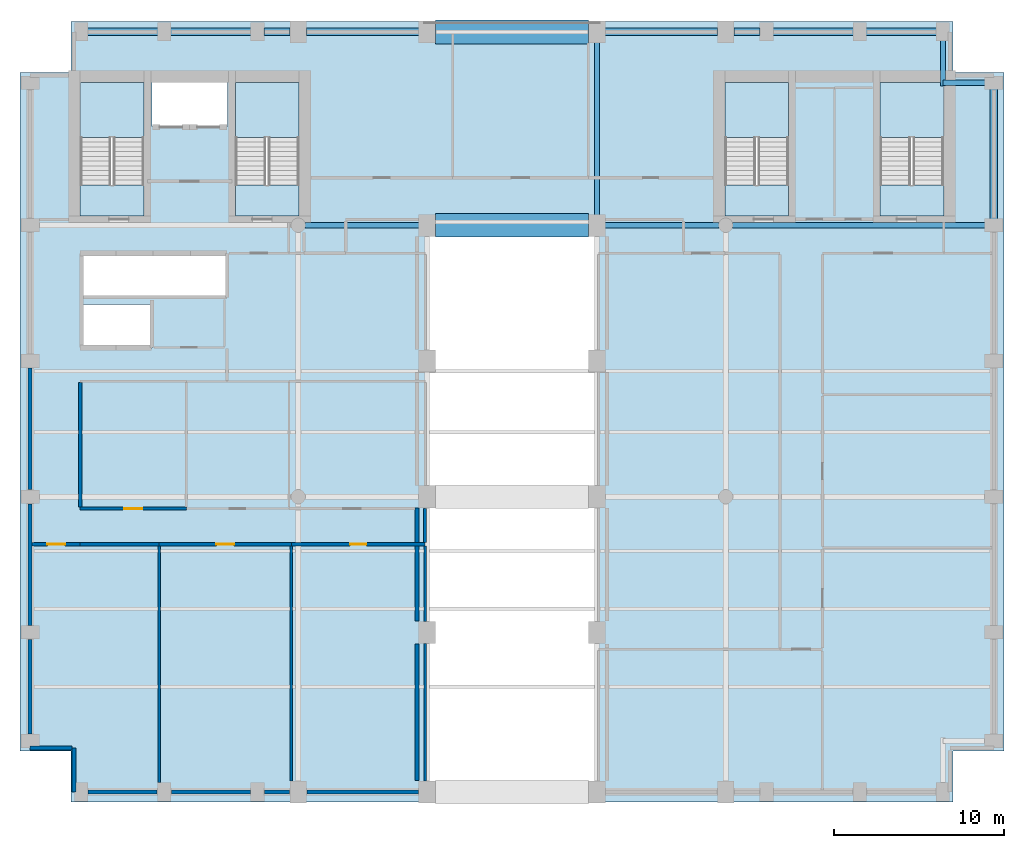
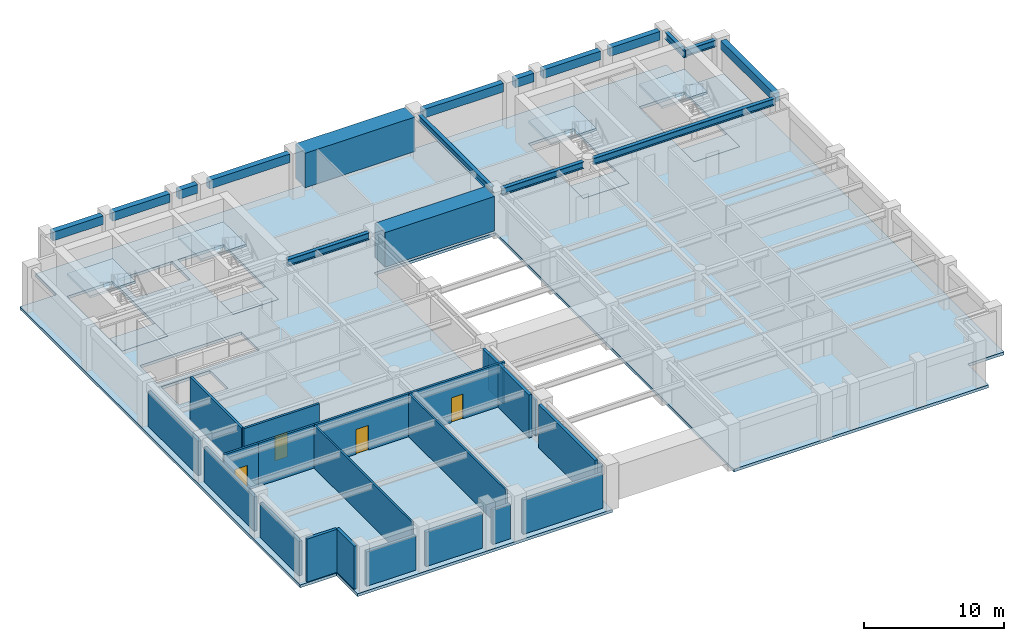
# One storey, part 2 of 7: 22 walls, 17 beams, 9 slabs, 4 doors, 4 openings, 4 elements without a shape of their own.
"""IFC4 building model written with IfcOpenShell, lengths in metres."""

import ifcopenshell
import ifcopenshell.guid

model = None  # the IFC model being written
_history = None  # IfcOwnerHistory: only IFC2X3 demands one
_inside = {}  # id of a spatial element -> (the spatial element, [elements in it])
_under = {}  # id of a project, library or spatial element -> (it, [spatial elements below it])
_declared = {}  # id of a project -> (the project, [libraries it declares])
_typed = {}  # id of a type object -> (the type object, [elements of that type])
_made_of = {}  # id of a material, layer set ... -> (it, [elements and type objects made of it])


def new_model(schema):
    """Start an empty IFC model of exactly this schema.

    Asked for "IFC4X3", IfcOpenShell would pick the latest addendum, in which some entities
    have other attributes; the version numbers below select the first issue.
    IFC2X3 requires an IfcOwnerHistory on every rooted entity: one is made here for all.
    """
    global model, _history
    if schema == "IFC4X3":
        model = ifcopenshell.file(schema_version=(4, 3, 0, 0))
    else:
        model = ifcopenshell.file(schema=schema)
    _inside.clear()
    _under.clear()
    _declared.clear()
    _typed.clear()
    _made_of.clear()
    _history = None
    if model.schema == "IFC2X3":
        org = make("IfcOrganization", Name="unknown")
        user = make(
            "IfcPersonAndOrganization",
            ThePerson=make("IfcPerson", FamilyName="unknown"),
            TheOrganization=org,
        )
        app = make(
            "IfcApplication",
            ApplicationDeveloper=org,
            Version="unknown",
            ApplicationFullName="unknown",
            ApplicationIdentifier="unknown",
        )
        _history = make(
            "IfcOwnerHistory",
            OwningUser=user,
            OwningApplication=app,
            ChangeAction="ADDED",
            CreationDate=0,
        )
    return model


def make(cls, **values):
    """One entity of the class cls with the attributes given. An attribute that is None is left unset."""
    return model.create_entity(
        cls, **{name: value for name, value in values.items() if value is not None}
    )


def rooted(cls, **values):
    """An entity with a GlobalId (a new one), such as an element, a storey or a relation."""
    return make(cls, GlobalId=ifcopenshell.guid.new(), OwnerHistory=_history, **values)


def si_unit(unit_type, name, prefix=None):
    """IfcSIUnit, for example si_unit("LENGTHUNIT", "METRE", prefix="MILLI")."""
    return make("IfcSIUnit", UnitType=unit_type, Prefix=prefix, Name=name)


def assignment(units):
    """IfcUnitAssignment: the units of a project."""
    return None if units is None else make("IfcUnitAssignment", Units=units)


def point(xyz):
    """IfcCartesianPoint."""
    return None if xyz is None else make("IfcCartesianPoint", Coordinates=xyz)


def direction(xyz):
    """IfcDirection."""
    return None if xyz is None else make("IfcDirection", DirectionRatios=xyz)


def frame(location, z_axis=None, x_axis=None):
    """IfcAxis2Placement3D, a coordinate frame: its origin and axes. An axis left out is left unset."""
    return make(
        "IfcAxis2Placement3D",
        Location=point(location),
        Axis=direction(z_axis),
        RefDirection=direction(x_axis),
    )


def frame_2d(location, x_axis=None):
    """IfcAxis2Placement2D, a coordinate frame in the plane: its origin and x axis."""
    return make(
        "IfcAxis2Placement2D", Location=point(location), RefDirection=direction(x_axis)
    )


def origin():
    """The frame at (0, 0, 0) with its axes left unset."""
    return frame((0.0, 0.0, 0.0))


def origin_2d():
    """The frame at (0, 0) in the plane with its x axis left unset."""
    return frame_2d((0.0, 0.0))


def place(relative_to, where):
    """IfcLocalPlacement: puts the frame where relative to a parent placement (None: the world)."""
    return make(
        "IfcLocalPlacement", PlacementRelTo=relative_to, RelativePlacement=where
    )


def context(
    kind, dimensions, precision=None, world=None, true_north=None, identifier=None
):
    """IfcGeometricRepresentationContext, for example the 3D "Model" context."""
    return make(
        "IfcGeometricRepresentationContext",
        ContextIdentifier=identifier,
        ContextType=kind,
        CoordinateSpaceDimension=dimensions,
        Precision=precision,
        WorldCoordinateSystem=world,
        TrueNorth=true_north,
    )


def subcontext(parent, identifier, kind, view, scale=None):
    """IfcGeometricRepresentationSubContext, for example "Body" below "Model"."""
    return make(
        "IfcGeometricRepresentationSubContext",
        ContextIdentifier=identifier,
        ContextType=kind,
        ParentContext=parent,
        TargetScale=scale,
        TargetView=view,
    )


def project(units=None, contexts=None):
    """IfcProject with its units and contexts."""
    return rooted(
        "IfcProject",
        Name="project",
        RepresentationContexts=contexts,
        UnitsInContext=assignment(units),
    )


def spatial(cls, under=None, at=None, **own):
    """A site, building, storey or space (cls), placed at a placement, below another one or the project."""
    s = rooted(cls, ObjectPlacement=at, **own)
    if under is not None:
        _under.setdefault(under.id(), (under, []))[1].append(s)
    return s


def polyline(points):
    """IfcPolyline through the points."""
    return make("IfcPolyline", Points=[point(p) for p in points])


def profile(cls, at=None, kind="AREA", **sizes):
    """A parametric profile (cls). Its sizes go by their IFC names, for example OverallWidth=200.0."""
    return make(cls, ProfileType=kind, Position=at, **sizes)


def rectangle(**sizes):
    """IfcRectangleProfileDef."""
    return profile("IfcRectangleProfileDef", **sizes)


def i_section(**sizes):
    """IfcIShapeProfileDef."""
    return profile("IfcIShapeProfileDef", **sizes)


def outline(outer, holes=None, kind="AREA"):
    """IfcArbitraryClosedProfileDef: a profile drawn as a closed curve; with holes, ...WithVoids."""
    if holes is None:
        return make("IfcArbitraryClosedProfileDef", ProfileType=kind, OuterCurve=outer)
    return make(
        "IfcArbitraryProfileDefWithVoids",
        ProfileType=kind,
        OuterCurve=outer,
        InnerCurves=holes,
    )


def extrude(swept, where, along, depth):
    """IfcExtrudedAreaSolid: the profile swept, set in the frame where, extruded along a direction by depth."""
    return make(
        "IfcExtrudedAreaSolid",
        SweptArea=swept,
        Position=where,
        ExtrudedDirection=direction(along),
        Depth=depth,
    )


def shape(context_of_items, identifier, shape_type, items):
    """IfcShapeRepresentation: the items that make up one representation, for example the "Body"."""
    return make(
        "IfcShapeRepresentation",
        ContextOfItems=context_of_items,
        RepresentationIdentifier=identifier,
        RepresentationType=shape_type,
        Items=items,
    )


def material(Name=None, Category=None):
    """IfcMaterial."""
    return make("IfcMaterial", Name=Name, Category=Category)


def layer(
    of_material, thickness, ventilated=None, Name=None, Category=None, Priority=None
):
    """IfcMaterialLayer: one layer of a wall or slab, of a material (None: an air gap)."""
    return make(
        "IfcMaterialLayer",
        Material=of_material,
        LayerThickness=thickness,
        IsVentilated=ventilated,
        Name=Name,
        Category=Category,
        Priority=Priority,
    )


def layer_set(layers, Name=None):
    """IfcMaterialLayerSet."""
    return make("IfcMaterialLayerSet", MaterialLayers=layers, LayerSetName=Name)


def material_profile(
    of_material, cross_section, Name=None, Category=None, Priority=None
):
    """IfcMaterialProfile: a cross section and its material."""
    return make(
        "IfcMaterialProfile",
        Name=Name,
        Material=of_material,
        Profile=cross_section,
        Priority=Priority,
        Category=Category,
    )


def profile_set(profiles, Name=None, composite=None):
    """IfcMaterialProfileSet."""
    return make(
        "IfcMaterialProfileSet",
        Name=Name,
        MaterialProfiles=profiles,
        CompositeProfile=composite,
    )


def made_of(thing, what):
    """Note that an element or type object is made of a material, layer set ...; save() writes the relation."""
    if what is not None:
        _made_of.setdefault(what.id(), (what, []))[1].append(thing)
    return thing


def type_object(cls, material=None, **own):
    """A type object (cls), such as IfcWallType, which elements share."""
    return made_of(rooted(cls, **own), material)


def element(
    cls,
    number,
    at=None,
    inside=None,
    cuts=None,
    type_object=None,
    material=None,
    context=None,
    identifier="Body",
    shape_type=None,
    held_by="IfcProductDefinitionShape",
    body=None,
    shapes=None,
    **own,
):
    """One element of the class cls, such as IfcWall. Its Tag is "e" and its number.

    at: its placement. inside: the storey or other place that contains it. cuts: it is an
    opening in that element (IfcRelVoidsElement). A single representation is given by context,
    identifier, shape_type and body (its items); several are given by shapes. held_by: the class
    of the entity that holds the representations. save() writes the other relations.
    """
    e = rooted(cls, Tag="e%d" % number, ObjectPlacement=at, **own)
    if body is not None:
        shapes = [shape(context, identifier, shape_type, body)]
    if shapes is not None:
        e.Representation = make(held_by, Representations=shapes)
    if inside is not None:
        _inside.setdefault(inside.id(), (inside, []))[1].append(e)
    if cuts is not None:
        rooted(
            "IfcRelVoidsElement", RelatingBuildingElement=cuts, RelatedOpeningElement=e
        )
    if type_object is not None:
        _typed.setdefault(type_object.id(), (type_object, []))[1].append(e)
    return made_of(e, material)


def fill(opening, filler):
    """IfcRelFillsElement: the door or window that sits in an opening."""
    return rooted(
        "IfcRelFillsElement",
        RelatingOpeningElement=opening,
        RelatedBuildingElement=filler,
    )


def aggregate(whole, parts):
    """IfcRelAggregates: a whole, such as a stair, and the parts it consists of."""
    return rooted("IfcRelAggregates", RelatingObject=whole, RelatedObjects=parts)


def save(model, path):
    """Write the relations noted so far, then the file.

    IfcRelAggregates (storeys below a building ...), IfcRelContainedInSpatialStructure (elements
    in a storey), IfcRelDefinesByType, IfcRelAssociatesMaterial and IfcRelDeclares: one each for
    every whole, place, type object, material and project.
    """
    for whole, parts in _under.values():
        aggregate(whole, parts)
    for where, things in _inside.values():
        rooted(
            "IfcRelContainedInSpatialStructure",
            RelatedElements=things,
            RelatingStructure=where,
        )
    for kind, things in _typed.values():
        rooted("IfcRelDefinesByType", RelatedObjects=things, RelatingType=kind)
    for what, things in _made_of.values():
        rooted("IfcRelAssociatesMaterial", RelatedObjects=things, RelatingMaterial=what)
    for by, libraries in _declared.values():
        rooted("IfcRelDeclares", RelatingContext=by, RelatedDefinitions=libraries)
    model.write(path)


model = new_model("IFC4")

# Units and contexts
model_context = context("Model", 3, precision=1e-05, world=origin(), true_north=direction((0.0, 1.0)))
body_context = subcontext(model_context, "Body", "Model", "MODEL_VIEW")
ifc_project = project(units=[si_unit("LENGTHUNIT", "METRE"), si_unit("AREAUNIT", "SQUARE_METRE"), si_unit("VOLUMEUNIT", "CUBIC_METRE"), si_unit("PLANEANGLEUNIT", "RADIAN"), si_unit("MASSUNIT", "GRAM", prefix="KILO")], contexts=[model_context])

# Site, building, storey
site_placement = place(None, origin())
site = spatial("IfcSite", under=ifc_project, at=site_placement, CompositionType="ELEMENT")
building_placement = place(site_placement, origin())
building = spatial("IfcBuilding", under=site, at=building_placement, Name="Sulina Concourse Tower", CompositionType="ELEMENT")
storey_placement = place(building_placement, frame((0.0, 0.0, 198.60009765625)))
storey = spatial("IfcBuildingStorey", under=building, at=storey_placement, Name="L48", CompositionType="ELEMENT", Elevation=198.60009765625)

# Beams
ifc_material_1 = material(Name="Steel S355", Category="steel")
ifc_material_profile_1 = material_profile(ifc_material_1, i_section(OverallWidth=0.300048828125, OverallDepth=0.60009765625, WebThickness=0.015380859375, FlangeThickness=0.030029296875, at=origin_2d()), Name="HE 600 B")
ifc_profile_set_1 = profile_set([ifc_material_profile_1], Name="Steel S355")
beam_type_1 = type_object("IfcBeamType", Name="Floor Primary Girder Zone 3 HE600B", PredefinedType="BEAM", material=ifc_profile_set_1)
beam_1_placement = place(storey_placement, frame((54.39990234375, 42.39990234375, 3.449951171875), z_axis=(1.0, 0.0, 0.0), x_axis=(0.0, 1.0, 0.0)))
element("IfcBeam", 1, at=beam_1_placement, inside=storey, type_object=beam_type_1, Name="TIE-NE-L48", PredefinedType="BEAM", context=body_context, shape_type="SweptSolid", body=[
    extrude(i_section(OverallWidth=0.300048828125, OverallDepth=0.60009765625, WebThickness=0.015380859375, FlangeThickness=0.030029296875, at=origin_2d()), origin(), (0.0, 0.0, 1.0), 2.6201171875),
])
beam_2_placement = place(storey_placement, frame((54.39990234375, 42.199951171875, 3.449951171875), z_axis=(0.0, 1.0, 0.0), x_axis=(-1.0, 0.0, 0.0)))
element("IfcBeam", 2, at=beam_2_placement, inside=storey, type_object=beam_type_1, Name="TIE-NEN-L48", PredefinedType="BEAM", context=body_context, shape_type="SweptSolid", body=[
    extrude(i_section(OverallWidth=0.300048828125, OverallDepth=0.60009765625, WebThickness=0.015380859375, FlangeThickness=0.030029296875, at=origin_2d()), origin(), (0.0, 0.0, 1.0), 2.820068359375),
])
for number, where, z_axis, x_axis, name in (
    (3, (16.804931640625, 34.0, 3.449951171875), (1.0, 0.0, 0.0), (0.0, 1.0, 0.0), "FG-EWN2-L48"),
    (4, (34.47998046875, 34.0, 3.449951171875), (1.0, 0.0, 0.0), (0.0, 1.0, 0.0), "FG-EWN4-L48"),
):
    element("IfcBeam", number, at=place(storey_placement, frame(where, z_axis=z_axis, x_axis=x_axis)), inside=storey, type_object=beam_type_1, Name=name, PredefinedType="BEAM", context=body_context, shape_type="SweptSolid", body=[
        extrude(i_section(OverallWidth=0.300048828125, OverallDepth=0.60009765625, WebThickness=0.015380859375, FlangeThickness=0.030029296875, at=origin_2d()), origin(), (0.0, 0.0, 1.0), 6.715087890625),
    ])
beam_3_placement = place(storey_placement, frame((42.0048828125, 34.0, 3.449951171875), z_axis=(1.0, 0.0, 0.0), x_axis=(0.0, 1.0, 0.0)))
element("IfcBeam", 5, at=beam_3_placement, inside=storey, type_object=beam_type_1, Name="FG-EWN5-L48", PredefinedType="BEAM", context=body_context, shape_type="SweptSolid", body=[
    extrude(i_section(OverallWidth=0.300048828125, OverallDepth=0.60009765625, WebThickness=0.015380859375, FlangeThickness=0.030029296875, at=origin_2d()), origin(), (0.0, 0.0, 1.0), 15.01513671875),
])
beam_4_placement = place(storey_placement, frame((34.0, 34.47998046875, 3.449951171875), z_axis=(0.0, 1.0, 0.0), x_axis=(-1.0, 0.0, 0.0)))
element("IfcBeam", 6, at=beam_4_placement, inside=storey, type_object=beam_type_1, Name="FG-NSC-34-L48", PredefinedType="BEAM", context=body_context, shape_type="SweptSolid", body=[
    extrude(i_section(OverallWidth=0.300048828125, OverallDepth=0.60009765625, WebThickness=0.015380859375, FlangeThickness=0.030029296875, at=origin_2d()), origin(), (0.0, 0.0, 1.0), 10.43994140625),
])
ifc_material_2 = material(Name="Concrete C60/75", Category="concrete")
ifc_material_profile_2 = material_profile(ifc_material_2, rectangle(XDim=1.39990234375, YDim=3.0, at=origin_2d()), Name="RC 1400x3000")
ifc_profile_set_2 = profile_set([ifc_material_profile_2], Name="Concrete C60/75")
beam_type_2 = type_object("IfcBeamType", Name="Station Podium Transfer Girder 1400x3000", PredefinedType="BEAM", material=ifc_profile_set_2)
for number, where, z_axis, x_axis, name in (
    (7, (24.47998046875, 45.39990234375, 2.25), (1.0, 0.0, 0.0), (0.0, 1.0, 0.0), "TG-PCAP-N5-L48"),
    (8, (24.47998046875, 34.0, 2.25), (1.0, 0.0, 0.0), (0.0, 1.0, 0.0), "TG-EW-N3-L48"),
):
    element("IfcBeam", number, at=place(storey_placement, frame(where, z_axis=z_axis, x_axis=x_axis)), inside=storey, type_object=beam_type_2, Name=name, PredefinedType="BEAM", context=body_context, shape_type="SweptSolid", body=[
        extrude(rectangle(XDim=1.39990234375, YDim=3.0, at=origin_2d()), origin(), (0.0, 0.0, 1.0), 9.0400390625),
    ])
ifc_material_3 = material(Name="Precast concrete C50/60", Category="concrete")
ifc_material_profile_3 = material_profile(ifc_material_3, rectangle(XDim=0.449951171875, YDim=0.75, at=origin_2d()), Name="RC 450x750")
ifc_profile_set_3 = profile_set([ifc_material_profile_3], Name="Precast concrete C50/60")
beam_type_3 = type_object("IfcBeamType", Name="Upper Precast Spandrel Edge Beam 450x750", PredefinedType="BEAM", material=ifc_profile_set_3)
beam_5_placement = place(storey_placement, frame((3.97998046875, 45.39990234375, 3.375), z_axis=(1.0, 0.0, 0.0), x_axis=(0.0, 1.0, 0.0)))
element("IfcBeam", 9, at=beam_5_placement, inside=storey, type_object=beam_type_3, Name="SP-N1-L48", PredefinedType="BEAM", context=body_context, shape_type="SweptSolid", body=[
    extrude(rectangle(XDim=0.449951171875, YDim=0.75, at=origin_2d()), origin(), (0.0, 0.0, 1.0), 4.14013671875),
])
beam_6_placement = place(storey_placement, frame((8.8798828125, 45.39990234375, 3.375), z_axis=(1.0, 0.0, 0.0), x_axis=(0.0, 1.0, 0.0)))
element("IfcBeam", 10, at=beam_6_placement, inside=storey, type_object=beam_type_3, Name="SP-N2-L48", PredefinedType="BEAM", context=body_context, shape_type="SweptSolid", body=[
    extrude(rectangle(XDim=0.449951171875, YDim=0.75, at=origin_2d()), origin(), (0.0, 0.0, 1.0), 4.740234375),
])
beam_7_placement = place(storey_placement, frame((14.3798828125, 45.39990234375, 3.375), z_axis=(1.0, 0.0, 0.0), x_axis=(0.0, 1.0, 0.0)))
element("IfcBeam", 11, at=beam_7_placement, inside=storey, type_object=beam_type_3, Name="SP-N3-L48", PredefinedType="BEAM", context=body_context, shape_type="SweptSolid", body=[
    extrude(rectangle(XDim=0.449951171875, YDim=0.75, at=origin_2d()), origin(), (0.0, 0.0, 1.0), 1.5400390625),
])
for number, where, z_axis, x_axis, name in (
    (12, (16.8798828125, 45.39990234375, 3.375), (1.0, 0.0, 0.0), (0.0, 1.0, 0.0), "SP-N4-L48"),
    (13, (34.47998046875, 45.39990234375, 3.375), (1.0, 0.0, 0.0), (0.0, 1.0, 0.0), "SP-N6-L48"),
):
    element("IfcBeam", number, at=place(storey_placement, frame(where, z_axis=z_axis, x_axis=x_axis)), inside=storey, type_object=beam_type_3, Name=name, PredefinedType="BEAM", context=body_context, shape_type="SweptSolid", body=[
        extrude(rectangle(XDim=0.449951171875, YDim=0.75, at=origin_2d()), origin(), (0.0, 0.0, 1.0), 6.64013671875),
    ])
beam_8_placement = place(storey_placement, frame((42.080078125, 45.39990234375, 3.375), z_axis=(1.0, 0.0, 0.0), x_axis=(0.0, 1.0, 0.0)))
element("IfcBeam", 14, at=beam_8_placement, inside=storey, type_object=beam_type_3, Name="SP-N7-L48", PredefinedType="BEAM", context=body_context, shape_type="SweptSolid", body=[
    extrude(rectangle(XDim=0.449951171875, YDim=0.75, at=origin_2d()), origin(), (0.0, 0.0, 1.0), 1.5400390625),
])
beam_9_placement = place(storey_placement, frame((44.3798828125, 45.39990234375, 3.375), z_axis=(1.0, 0.0, 0.0), x_axis=(0.0, 1.0, 0.0)))
element("IfcBeam", 15, at=beam_9_placement, inside=storey, type_object=beam_type_3, Name="SP-N8-L48", PredefinedType="BEAM", context=body_context, shape_type="SweptSolid", body=[
    extrude(rectangle(XDim=0.449951171875, YDim=0.75, at=origin_2d()), origin(), (0.0, 0.0, 1.0), 4.740234375),
])
beam_10_placement = place(storey_placement, frame((49.8798828125, 45.39990234375, 3.375), z_axis=(1.0, 0.0, 0.0), x_axis=(0.0, 1.0, 0.0)))
element("IfcBeam", 16, at=beam_10_placement, inside=storey, type_object=beam_type_3, Name="SP-N9-L48", PredefinedType="BEAM", context=body_context, shape_type="SweptSolid", body=[
    extrude(rectangle(XDim=0.449951171875, YDim=0.75, at=origin_2d()), origin(), (0.0, 0.0, 1.0), 4.14013671875),
])
beam_11_placement = place(storey_placement, frame((57.39990234375, 34.3798828125, 3.375), z_axis=(0.0, 1.0, 0.0), x_axis=(-1.0, 0.0, 0.0)))
element("IfcBeam", 17, at=beam_11_placement, inside=storey, type_object=beam_type_3, Name="SP-E5-L48", PredefinedType="BEAM", context=body_context, shape_type="SweptSolid", body=[
    extrude(rectangle(XDim=0.449951171875, YDim=0.75, at=origin_2d()), origin(), (0.0, 0.0, 1.0), 7.64013671875),
])

# Slabs
ifc_material_4 = material(Name="Concrete C50/60", Category="concrete")
ifc_layer_1 = layer(ifc_material_4, 0.25)
ifc_layer_set_1 = layer_set([ifc_layer_1], Name="Concrete C50/60")
slab_type_1 = type_object("IfcSlabType", Name="High-Rise Composite Floor Slab 250mm", PredefinedType="FLOOR", material=ifc_layer_set_1)
slab_1_placement = place(storey_placement, frame((0.0, 0.0, -0.25)))
element("IfcSlab", 18, at=slab_1_placement, inside=storey, type_object=slab_type_1, Name="L48 structural floor slab", PredefinedType="FLOOR", context=body_context, shape_type="SweptSolid", body=[
    extrude(outline(polyline([(3.0, 0.0), (24.0, 0.0), (24.0, 34.0), (34.0, 34.0), (34.0, 0.0), (55.0, 0.0), (55.0, 3.0), (58.0, 3.0), (58.0, 43.0), (55.0, 43.0), (55.0, 46.0), (3.0, 46.0), (3.0, 43.0), (0.0, 43.0), (0.0, 3.0), (3.0, 3.0), (3.0, 0.0)]), holes=[polyline([(7.31005859375, 34.550048828125), (7.31005859375, 42.429931640625), (3.550048828125, 42.429931640625), (3.550048828125, 34.550048828125), (7.31005859375, 34.550048828125)]), polyline([(16.449951171875, 34.550048828125), (16.449951171875, 42.429931640625), (12.68994140625, 42.429931640625), (12.68994140625, 34.550048828125), (16.449951171875, 34.550048828125)]), polyline([(45.31005859375, 34.550048828125), (45.31005859375, 42.429931640625), (41.550048828125, 42.429931640625), (41.550048828125, 34.550048828125), (45.31005859375, 34.550048828125)]), polyline([(54.449951171875, 34.550048828125), (54.449951171875, 42.429931640625), (50.68994140625, 42.429931640625), (50.68994140625, 34.550048828125), (54.449951171875, 34.550048828125)]), polyline([(7.780029296875, 39.830078125), (12.219970703125, 39.830078125), (12.219970703125, 42.449951171875), (7.780029296875, 42.449951171875), (7.780029296875, 39.830078125)]), polyline([(3.739990234375, 26.780029296875), (7.77001953125, 26.780029296875), (7.77001953125, 29.320068359375), (3.739990234375, 29.320068359375), (3.739990234375, 26.780029296875)]), polyline([(3.739990234375, 29.780029296875), (12.10009765625, 29.780029296875), (12.10009765625, 32.3701171875), (3.739990234375, 32.3701171875), (3.739990234375, 29.780029296875)])]), origin(), (0.0, 0.0, 1.0), 0.25),
])
ifc_material_5 = material(Name="Concrete C50/60", Category="concrete")
ifc_layer_2 = layer(ifc_material_5, 0.199951171875)
ifc_layer_set_2 = layer_set([ifc_layer_2], Name="Concrete C50/60")
slab_type_2 = type_object("IfcSlabType", Name="Primary Core Stair Landing Slab 200mm", PredefinedType="LANDING", material=ifc_layer_set_2)
slab_2_placement = place(storey_placement, frame((0.0, 0.0, -0.2001953125)))
element("IfcSlab", 19, at=slab_2_placement, inside=storey, type_object=slab_type_2, Name="L48 ST-1 floor landing slab", PredefinedType="LANDING", context=body_context, shape_type="SweptSolid", body=[
    extrude(outline(polyline([(7.31005859375, 34.550048828125), (7.31005859375, 36.375), (3.550048828125, 36.375), (3.550048828125, 34.550048828125), (7.31005859375, 34.550048828125)])), origin(), (0.0, 0.0, 1.0), 0.2001953125),
])
slab_3_placement = place(storey_placement, frame((0.0, 0.0, -0.2001953125)))
element("IfcSlab", 20, at=slab_3_placement, inside=storey, type_object=slab_type_2, Name="L48 ST-2 floor landing slab", PredefinedType="LANDING", context=body_context, shape_type="SweptSolid", body=[
    extrude(outline(polyline([(16.449951171875, 34.550048828125), (16.449951171875, 36.375), (12.68994140625, 36.375), (12.68994140625, 34.550048828125), (16.449951171875, 34.550048828125)])), origin(), (0.0, 0.0, 1.0), 0.2001953125),
])
slab_4_placement = place(storey_placement, frame((0.0, 0.0, -0.2001953125)))
element("IfcSlab", 21, at=slab_4_placement, inside=storey, type_object=slab_type_2, Name="L48 ST-3 floor landing slab", PredefinedType="LANDING", context=body_context, shape_type="SweptSolid", body=[
    extrude(outline(polyline([(45.31005859375, 34.550048828125), (45.31005859375, 36.375), (41.550048828125, 36.375), (41.550048828125, 34.550048828125), (45.31005859375, 34.550048828125)])), origin(), (0.0, 0.0, 1.0), 0.2001953125),
])
slab_5_placement = place(storey_placement, frame((0.0, 0.0, -0.2001953125)))
element("IfcSlab", 22, at=slab_5_placement, inside=storey, type_object=slab_type_2, Name="L48 ST-4 floor landing slab", PredefinedType="LANDING", context=body_context, shape_type="SweptSolid", body=[
    extrude(outline(polyline([(54.449951171875, 34.550048828125), (54.449951171875, 36.375), (50.68994140625, 36.375), (50.68994140625, 34.550048828125), (54.449951171875, 34.550048828125)])), origin(), (0.0, 0.0, 1.0), 0.2001953125),
])

# Stair, slab
ifc_material_6 = material(Name="Concrete C50/60", Category="concrete")
stair_type_1 = type_object("IfcStairType", Name="Primary Core Dog-Leg Exit Stair 1800mm", PredefinedType="HALF_TURN_STAIR", material=ifc_material_6)
stair_1_placement = place(storey_placement, origin())
stair_1 = element("IfcStair", 23, at=stair_1_placement, inside=storey, type_object=stair_type_1, Name="L48 ST-1", PredefinedType="HALF_TURN_STAIR")
slab_6_placement = place(storey_placement, frame((0.0, 0.0, 1.7998046875)))
slab_6 = element("IfcSlab", 24, at=slab_6_placement, type_object=slab_type_2, Name="ST-1 landing 1", PredefinedType="LANDING", context=body_context, shape_type="SweptSolid", body=[
    extrude(outline(polyline([(7.304931640625, 39.175048828125), (7.304931640625, 42.425048828125), (3.554931640625, 42.425048828125), (3.554931640625, 39.175048828125), (7.304931640625, 39.175048828125)])), origin(), (0.0, 0.0, 1.0), 0.2001953125),
])
aggregate(stair_1, [slab_6])

stair_2_placement = place(storey_placement, origin())
stair_2 = element("IfcStair", 25, at=stair_2_placement, inside=storey, type_object=stair_type_1, Name="L48 ST-2", PredefinedType="HALF_TURN_STAIR")
slab_7_placement = place(storey_placement, frame((0.0, 0.0, 1.7998046875)))
slab_7 = element("IfcSlab", 26, at=slab_7_placement, type_object=slab_type_2, Name="ST-2 landing 1", PredefinedType="LANDING", context=body_context, shape_type="SweptSolid", body=[
    extrude(outline(polyline([(16.445068359375, 39.175048828125), (16.445068359375, 42.425048828125), (12.695068359375, 42.425048828125), (12.695068359375, 39.175048828125), (16.445068359375, 39.175048828125)])), origin(), (0.0, 0.0, 1.0), 0.2001953125),
])
aggregate(stair_2, [slab_7])

ifc_material_7 = material(Name="Concrete C50/60", Category="concrete")
stair_type_2 = type_object("IfcStairType", Name="Portal & Podium Core Exit Stair 1820mm", PredefinedType="HALF_TURN_STAIR", material=ifc_material_7)
stair_3_placement = place(storey_placement, origin())
stair_3 = element("IfcStair", 27, at=stair_3_placement, inside=storey, type_object=stair_type_2, Name="L48 ST-3", PredefinedType="HALF_TURN_STAIR")
slab_8_placement = place(storey_placement, frame((0.0, 0.0, 1.7998046875)))
slab_8 = element("IfcSlab", 28, at=slab_8_placement, type_object=slab_type_2, Name="ST-3 landing 1", PredefinedType="LANDING", context=body_context, shape_type="SweptSolid", body=[
    extrude(outline(polyline([(45.304931640625, 39.175048828125), (45.304931640625, 42.425048828125), (41.554931640625, 42.425048828125), (41.554931640625, 39.175048828125), (45.304931640625, 39.175048828125)])), origin(), (0.0, 0.0, 1.0), 0.2001953125),
])
aggregate(stair_3, [slab_8])

stair_4_placement = place(storey_placement, origin())
stair_4 = element("IfcStair", 29, at=stair_4_placement, inside=storey, type_object=stair_type_2, Name="L48 ST-4", PredefinedType="HALF_TURN_STAIR")
slab_9_placement = place(storey_placement, frame((0.0, 0.0, 1.7998046875)))
slab_9 = element("IfcSlab", 30, at=slab_9_placement, type_object=slab_type_2, Name="ST-4 landing 1", PredefinedType="LANDING", context=body_context, shape_type="SweptSolid", body=[
    extrude(outline(polyline([(54.445068359375, 39.175048828125), (54.445068359375, 42.425048828125), (50.695068359375, 42.425048828125), (50.695068359375, 39.175048828125), (54.445068359375, 39.175048828125)])), origin(), (0.0, 0.0, 1.0), 0.2001953125),
])
aggregate(stair_4, [slab_9])

# Walls
ifc_material_8 = material(Name="Precast concrete C50/60", Category="concrete")
ifc_layer_3 = layer(ifc_material_8, 0.239990234375)
ifc_layer_set_3 = layer_set([ifc_layer_3], Name="Precast concrete C50/60")
wall_type_1 = type_object("IfcWallType", Name="Crown Precast Masonry-Frame Facade Wall 240mm", PredefinedType="SOLIDWALL", material=ifc_layer_set_3)
wall_1_placement = place(storey_placement, frame((8.080078125, 0.60009765625, 0.0), z_axis=(0.0, 0.0, 1.0), x_axis=(-1.0, 0.0, 0.0)))
element("IfcWall", 31, at=wall_1_placement, inside=storey, type_object=wall_type_1, Name="L48 exterior precast wall S1", PredefinedType="SOLIDWALL", context=body_context, shape_type="SweptSolid", body=[
    extrude(rectangle(XDim=4.06005859375, YDim=0.239990234375, at=frame_2d((2.030029296875, 0.0))), origin(), (0.0, 0.0, 1.0), 3.0),
])
wall_2_placement = place(storey_placement, frame((13.580078125, 0.60009765625, 0.0), z_axis=(0.0, 0.0, 1.0), x_axis=(-1.0, 0.0, 0.0)))
element("IfcWall", 32, at=wall_2_placement, inside=storey, type_object=wall_type_1, Name="L48 exterior precast wall S2", PredefinedType="SOLIDWALL", context=body_context, shape_type="SweptSolid", body=[
    extrude(rectangle(XDim=4.66015625, YDim=0.239990234375, at=frame_2d((2.330078125, 0.0))), origin(), (0.0, 0.0, 1.0), 3.0),
])
wall_3_placement = place(storey_placement, frame((15.8798828125, 0.60009765625, 0.0), z_axis=(0.0, 0.0, 1.0), x_axis=(-1.0, 0.0, 0.0)))
element("IfcWall", 33, at=wall_3_placement, inside=storey, type_object=wall_type_1, Name="L48 exterior precast wall S3", PredefinedType="SOLIDWALL", context=body_context, shape_type="SweptSolid", body=[
    extrude(rectangle(XDim=1.4599609375, YDim=0.239990234375, at=frame_2d((0.72998046875, 0.0))), origin(), (0.0, 0.0, 1.0), 3.0),
])
wall_4_placement = place(storey_placement, frame((23.47998046875, 0.60009765625, 0.0), z_axis=(0.0, 0.0, 1.0), x_axis=(-1.0, 0.0, 0.0)))
element("IfcWall", 34, at=wall_4_placement, inside=storey, type_object=wall_type_1, Name="L48 exterior precast wall S4", PredefinedType="SOLIDWALL", context=body_context, shape_type="SweptSolid", body=[
    extrude(rectangle(XDim=6.56005859375, YDim=0.239990234375, at=frame_2d((3.280029296875, 0.0))), origin(), (0.0, 0.0, 1.0), 3.0),
])
wall_5_placement = place(storey_placement, frame((0.60009765625, 4.02001953125, 0.0), z_axis=(0.0, 0.0, 1.0), x_axis=(0.0, 1.0, 0.0)))
element("IfcWall", 35, at=wall_5_placement, inside=storey, type_object=wall_type_1, Name="L48 exterior precast wall W1", PredefinedType="SOLIDWALL", context=body_context, shape_type="SweptSolid", body=[
    extrude(rectangle(XDim=5.56005859375, YDim=0.239990234375, at=frame_2d((2.780029296875, 0.0))), origin(), (0.0, 0.0, 1.0), 3.0),
])
for number, where, z_axis, x_axis, name in (
    (36, (0.60009765625, 10.419921875, 0.0), (0.0, 0.0, 1.0), (0.0, 1.0, 0.0), "L48 exterior precast wall W2"),
    (37, (0.60009765625, 18.419921875, 0.0), (0.0, 0.0, 1.0), (0.0, 1.0, 0.0), "L48 exterior precast wall W3"),
):
    element("IfcWall", number, at=place(storey_placement, frame(where, z_axis=z_axis, x_axis=x_axis)), inside=storey, type_object=wall_type_1, Name=name, PredefinedType="SOLIDWALL", context=body_context, shape_type="SweptSolid", body=[
        extrude(rectangle(XDim=7.16015625, YDim=0.239990234375, at=frame_2d((3.580078125, 0.0))), origin(), (0.0, 0.0, 1.0), 3.0),
    ])
wall_6_placement = place(storey_placement, frame((3.179931640625, 0.60009765625, 0.0), z_axis=(0.0, 0.0, 1.0), x_axis=(0.0, 1.0, 0.0)))
element("IfcWall", 38, at=wall_6_placement, inside=storey, type_object=wall_type_1, Name="L48 exterior precast wall CSW1", PredefinedType="SOLIDWALL", context=body_context, shape_type="SweptSolid", body=[
    extrude(rectangle(XDim=2.579833984375, YDim=0.239990234375, at=frame_2d((1.2900390625, 0.0))), origin(), (0.0, 0.0, 1.0), 3.75),
])
wall_7_placement = place(storey_placement, frame((3.054931640625, 3.179931640625, 0.0), z_axis=(0.0, 0.0, 1.0), x_axis=(-1.0, 0.0, 0.0)))
element("IfcWall", 39, at=wall_7_placement, inside=storey, type_object=wall_type_1, Name="L48 exterior precast wall CSW2", PredefinedType="SOLIDWALL", context=body_context, shape_type="SweptSolid", body=[
    extrude(rectangle(XDim=2.454833984375, YDim=0.239990234375, at=frame_2d((1.2275390625, 0.0))), origin(), (0.0, 0.0, 1.0), 3.75),
])
wall_8_placement = place(storey_placement, frame((23.39990234375, 9.330078125, 0.0), z_axis=(0.0, 0.0, 1.0), x_axis=(0.0, -1.0, 0.0)))
element("IfcWall", 40, at=wall_8_placement, inside=storey, type_object=wall_type_1, Name="L48 exterior precast wall PW1", PredefinedType="SOLIDWALL", context=body_context, shape_type="SweptSolid", body=[
    extrude(rectangle(XDim=8.06005859375, YDim=0.239990234375, at=frame_2d((4.030029296875, 0.0))), origin(), (0.0, 0.0, 1.0), 3.75),
])
wall_9_placement = place(storey_placement, frame((23.39990234375, 17.330078125, 0.0), z_axis=(0.0, 0.0, 1.0), x_axis=(0.0, -1.0, 0.0)))
element("IfcWall", 41, at=wall_9_placement, inside=storey, type_object=wall_type_1, Name="L48 exterior precast wall PW2", PredefinedType="SOLIDWALL", context=body_context, shape_type="SweptSolid", body=[
    extrude(rectangle(XDim=6.66015625, YDim=0.239990234375, at=frame_2d((3.330078125, 0.0))), origin(), (0.0, 0.0, 1.0), 3.75),
])
ifc_material_9 = material(Name="Gypsum board on steel stud", Category="steel")
ifc_layer_4 = layer(ifc_material_9, 0.14990234375)
ifc_layer_set_4 = layer_set([ifc_layer_4], Name="Gypsum board on steel stud")
wall_type_2 = type_object("IfcWallType", Name="Inter-Tenancy Acoustic Partition 150mm", PredefinedType="PARTITIONING", material=ifc_layer_set_4)
wall_10_placement = place(storey_placement, frame((8.199951171875, 1.14990234375, 0.0), z_axis=(0.0, 0.0, 1.0), x_axis=(0.0, 1.0, 0.0)))
element("IfcWall", 42, at=wall_10_placement, inside=storey, type_object=wall_type_2, Name="L48 interior partition 035", PredefinedType="PARTITIONING", context=body_context, shape_type="SweptSolid", body=[
    extrude(rectangle(XDim=13.960205078125, YDim=0.14990234375, at=frame_2d((6.97998046875, 0.0))), origin(), (0.0, 0.0, 1.0), 3.75),
])
wall_11_placement = place(storey_placement, frame((16.0, 1.25, 0.0), z_axis=(0.0, 0.0, 1.0), x_axis=(0.0, 1.0, 0.0)))
element("IfcWall", 43, at=wall_11_placement, inside=storey, type_object=wall_type_2, Name="L48 interior partition 041", PredefinedType="PARTITIONING", context=body_context, shape_type="SweptSolid", body=[
    extrude(rectangle(XDim=13.860107421875, YDim=0.14990234375, at=frame_2d((6.93017578125, 0.0))), origin(), (0.0, 0.0, 1.0), 3.75),
])
wall_12_placement = place(storey_placement, frame((23.8798828125, 1.25, 0.0), z_axis=(0.0, 0.0, 1.0), x_axis=(0.0, 1.0, 0.0)))
element("IfcWall", 44, at=wall_12_placement, inside=storey, type_object=wall_type_2, Name="L48 interior partition 044", PredefinedType="PARTITIONING", context=body_context, shape_type="SweptSolid", body=[
    extrude(rectangle(XDim=8.10009765625, YDim=0.14990234375, at=frame_2d((4.050048828125, 0.0))), origin(), (0.0, 0.0, 1.0), 3.14501953125),
])
wall_13_placement = place(storey_placement, frame((23.8798828125, 10.64990234375, 0.0), z_axis=(0.0, 0.0, 1.0), x_axis=(0.0, 1.0, 0.0)))
element("IfcWall", 45, at=wall_13_placement, inside=storey, type_object=wall_type_2, Name="L48 interior partition 045", PredefinedType="PARTITIONING", context=body_context, shape_type="SweptSolid", body=[
    extrude(rectangle(XDim=4.460205078125, YDim=0.14990234375, at=frame_2d((2.22998046875, 0.0))), origin(), (0.0, 0.0, 1.0), 3.14501953125),
])

# Wall, opening, door
ifc_material_10 = material(Name="Gypsum board on steel stud", Category="steel")
ifc_layer_5 = layer(ifc_material_10, 0.179931640625)
ifc_layer_set_5 = layer_set([ifc_layer_5], Name="Gypsum board on steel stud")
wall_type_3 = type_object("IfcWallType", Name="Protected Corridor & Riser Partition 180mm", PredefinedType="PARTITIONING", material=ifc_layer_set_5)
wall_14_placement = place(storey_placement, frame((0.719970703125, 15.199951171875, 0.0), z_axis=(0.0, 0.0, 1.0), x_axis=(1.0, 0.0, 0.0)))
wall_14 = element("IfcWall", 46, at=wall_14_placement, inside=storey, type_object=wall_type_3, Name="L48 interior partition 004", PredefinedType="PARTITIONING", context=body_context, shape_type="SweptSolid", body=[
    extrude(rectangle(XDim=2.830078125, YDim=0.179931640625, at=frame_2d((1.4150390625, 0.0))), origin(), (0.0, 0.0, 1.0), 3.75),
])
opening_1_placement = place(wall_14_placement, frame((0.889892578125, 0.0, 0.0)))
opening_1 = element("IfcOpeningElement", 47, at=opening_1_placement, cuts=wall_14, Name="Opening DR-37", PredefinedType="OPENING", context=body_context, shape_type="SweptSolid", body=[
    extrude(rectangle(XDim=1.050048828125, YDim=2.14990234375, at=frame_2d((0.52490234375, 1.074951171875))), frame((0.0, 0.099853515625, 0.0), z_axis=(0.0, -1.0, 0.0), x_axis=(1.0, 0.0, 0.0)), (0.0, 0.0, 1.0), 0.199951171875),
])
ifc_material_11 = material(Name="Oak-veneered fire door leaf")
ifc_layer_6 = layer(ifc_material_11, 0.050048828125)
ifc_layer_set_6 = layer_set([ifc_layer_6], Name="Oak-veneered fire door leaf")
door_type_1 = type_object("IfcDoorType", Name="Tenant Suite Entrance Fire Door 1050x2150", OperationType="NOTDEFINED", PredefinedType="DOOR", material=ifc_layer_set_6)
door_1_placement = place(opening_1_placement, origin())
door_1 = element("IfcDoor", 48, at=door_1_placement, inside=storey, type_object=door_type_1, Name="L48 interior door L48-SHW-W1", OperationType="SINGLE_SWING_LEFT", OverallHeight=2.14990234375, OverallWidth=1.050048828125, PredefinedType="DOOR", context=body_context, shape_type="SweptSolid", body=[
    extrude(rectangle(XDim=1.050048828125, YDim=2.14990234375, at=frame_2d((0.52490234375, 1.074951171875))), frame((0.0, 0.02490234375, 0.0), z_axis=(0.0, -1.0, 0.0), x_axis=(1.0, 0.0, 0.0)), (0.0, 0.0, 1.0), 0.050048828125),
])
fill(opening_1, door_1)

# Wall
wall_15_placement = place(storey_placement, frame((3.550048828125, 15.199951171875, 0.0), z_axis=(0.0, 0.0, 1.0), x_axis=(1.0, 0.0, 0.0)))
element("IfcWall", 49, at=wall_15_placement, inside=storey, type_object=wall_type_3, Name="L48 interior partition 005", PredefinedType="PARTITIONING", context=body_context, shape_type="SweptSolid", body=[
    extrude(rectangle(XDim=4.64990234375, YDim=0.179931640625, at=frame_2d((2.324951171875, 0.0))), origin(), (0.0, 0.0, 1.0), 3.75),
])

# Wall, opening, door
wall_16_placement = place(storey_placement, frame((8.199951171875, 15.199951171875, 0.0), z_axis=(0.0, 0.0, 1.0), x_axis=(1.0, 0.0, 0.0)))
wall_16 = element("IfcWall", 50, at=wall_16_placement, inside=storey, type_object=wall_type_3, Name="L48 interior partition 006", PredefinedType="PARTITIONING", context=body_context, shape_type="SweptSolid", body=[
    extrude(rectangle(XDim=7.800048828125, YDim=0.179931640625, at=frame_2d((3.89990234375, 0.0))), origin(), (0.0, 0.0, 1.0), 3.75),
])
opening_2_placement = place(wall_16_placement, frame((3.375, 0.0, 0.0)))
opening_2 = element("IfcOpeningElement", 51, at=opening_2_placement, cuts=wall_16, Name="Opening DR-37", PredefinedType="OPENING", context=body_context, shape_type="SweptSolid", body=[
    extrude(rectangle(XDim=1.050048828125, YDim=2.14990234375, at=frame_2d((0.52490234375, 1.074951171875))), frame((0.0, 0.099853515625, 0.0), z_axis=(0.0, -1.0, 0.0), x_axis=(1.0, 0.0, 0.0)), (0.0, 0.0, 1.0), 0.199951171875),
])
door_2_placement = place(opening_2_placement, origin())
door_2 = element("IfcDoor", 52, at=door_2_placement, inside=storey, type_object=door_type_1, Name="L48 interior door L48-OFF-W3", OperationType="SINGLE_SWING_RIGHT", OverallHeight=2.14990234375, OverallWidth=1.050048828125, PredefinedType="DOOR", context=body_context, shape_type="SweptSolid", body=[
    extrude(rectangle(XDim=1.050048828125, YDim=2.14990234375, at=frame_2d((0.52490234375, 1.074951171875))), frame((0.0, 0.02490234375, 0.0), z_axis=(0.0, -1.0, 0.0), x_axis=(1.0, 0.0, 0.0)), (0.0, 0.0, 1.0), 0.050048828125),
])
fill(opening_2, door_2)

wall_17_placement = place(storey_placement, frame((16.0, 15.199951171875, 0.0), z_axis=(0.0, 0.0, 1.0), x_axis=(1.0, 0.0, 0.0)))
wall_17 = element("IfcWall", 53, at=wall_17_placement, inside=storey, type_object=wall_type_3, Name="L48 interior partition 007", PredefinedType="PARTITIONING", context=body_context, shape_type="SweptSolid", body=[
    extrude(rectangle(XDim=7.8798828125, YDim=0.179931640625, at=frame_2d((3.93994140625, 0.0))), origin(), (0.0, 0.0, 1.0), 3.75),
])
opening_3_placement = place(wall_17_placement, frame((3.465087890625, 0.0, 0.0)))
opening_3 = element("IfcOpeningElement", 54, at=opening_3_placement, cuts=wall_17, Name="Opening DR-19", PredefinedType="OPENING", context=body_context, shape_type="SweptSolid", body=[
    extrude(rectangle(XDim=0.949951171875, YDim=2.14990234375, at=frame_2d((0.47509765625, 1.074951171875))), frame((0.0, 0.099853515625, 0.0), z_axis=(0.0, -1.0, 0.0), x_axis=(1.0, 0.0, 0.0)), (0.0, 0.0, 1.0), 0.199951171875),
])
ifc_material_12 = material(Name="Oak-veneered acoustic timber leaf", Category="wood")
ifc_layer_7 = layer(ifc_material_12, 0.050048828125)
ifc_layer_set_7 = layer_set([ifc_layer_7], Name="Oak-veneered acoustic timber leaf")
door_type_2 = type_object("IfcDoorType", Name="Cellular Office & Meeting Door 950x2150", OperationType="NOTDEFINED", PredefinedType="DOOR", material=ifc_layer_set_7)
door_3_placement = place(opening_3_placement, origin())
door_3 = element("IfcDoor", 55, at=door_3_placement, inside=storey, type_object=door_type_2, Name="L48 interior door L48-MTG-W2", OperationType="SINGLE_SWING_LEFT", OverallHeight=2.14990234375, OverallWidth=0.949951171875, PredefinedType="DOOR", context=body_context, shape_type="SweptSolid", body=[
    extrude(rectangle(XDim=0.949951171875, YDim=2.14990234375, at=frame_2d((0.47509765625, 1.074951171875))), frame((0.0, 0.02490234375, 0.0), z_axis=(0.0, -1.0, 0.0), x_axis=(1.0, 0.0, 0.0)), (0.0, 0.0, 1.0), 0.050048828125),
])
fill(opening_3, door_3)

wall_18_placement = place(storey_placement, frame((3.550048828125, 17.300048828125, 0.0), z_axis=(0.0, 0.0, 1.0), x_axis=(1.0, 0.0, 0.0)))
wall_18 = element("IfcWall", 56, at=wall_18_placement, inside=storey, type_object=wall_type_3, Name="L48 interior partition 008", PredefinedType="PARTITIONING", context=body_context, shape_type="SweptSolid", body=[
    extrude(rectangle(XDim=6.25, YDim=0.179931640625, at=frame_2d((3.125, 0.0))), origin(), (0.0, 0.0, 1.0), 3.75),
])
opening_4_placement = place(wall_18_placement, frame((2.60009765625, 0.0, 0.0)))
opening_4 = element("IfcOpeningElement", 57, at=opening_4_placement, cuts=wall_18, Name="Opening DR-37", PredefinedType="OPENING", context=body_context, shape_type="SweptSolid", body=[
    extrude(rectangle(XDim=1.050048828125, YDim=2.14990234375, at=frame_2d((0.52490234375, 1.074951171875))), frame((0.0, 0.099853515625, 0.0), z_axis=(0.0, -1.0, 0.0), x_axis=(1.0, 0.0, 0.0)), (0.0, 0.0, 1.0), 0.199951171875),
])
door_4_placement = place(opening_4_placement, origin())
door_4 = element("IfcDoor", 58, at=door_4_placement, inside=storey, type_object=door_type_1, Name="L48 interior door L48-LR-MRG1", OperationType="SINGLE_SWING_RIGHT", OverallHeight=2.14990234375, OverallWidth=1.050048828125, PredefinedType="DOOR", context=body_context, shape_type="SweptSolid", body=[
    extrude(rectangle(XDim=1.050048828125, YDim=2.14990234375, at=frame_2d((0.52490234375, 1.074951171875))), frame((0.0, 0.02490234375, 0.0), z_axis=(0.0, -1.0, 0.0), x_axis=(1.0, 0.0, 0.0)), (0.0, 0.0, 1.0), 0.050048828125),
])
fill(opening_4, door_4)

# Walls
wall_19_placement = place(storey_placement, frame((3.550048828125, 17.389892578125, 0.0), z_axis=(0.0, 0.0, 1.0), x_axis=(0.0, 1.0, 0.0)))
element("IfcWall", 59, at=wall_19_placement, inside=storey, type_object=wall_type_3, Name="L48 interior partition 034", PredefinedType="PARTITIONING", context=body_context, shape_type="SweptSolid", body=[
    extrude(rectangle(XDim=7.335205078125, YDim=0.179931640625, at=frame_2d((3.66748046875, 0.0))), origin(), (0.0, 0.0, 1.0), 3.75),
])
wall_20_placement = place(storey_placement, frame((23.8798828125, 15.2900390625, 0.0), z_axis=(0.0, 0.0, 1.0), x_axis=(0.0, 1.0, 0.0)))
element("IfcWall", 60, at=wall_20_placement, inside=storey, type_object=wall_type_3, Name="L48 interior partition 046", PredefinedType="PARTITIONING", context=body_context, shape_type="SweptSolid", body=[
    extrude(rectangle(XDim=2.010009765625, YDim=0.179931640625, at=frame_2d((1.0048828125, 0.0))), origin(), (0.0, 0.0, 1.0), 3.14501953125),
])

save(model, "model.ifc")
